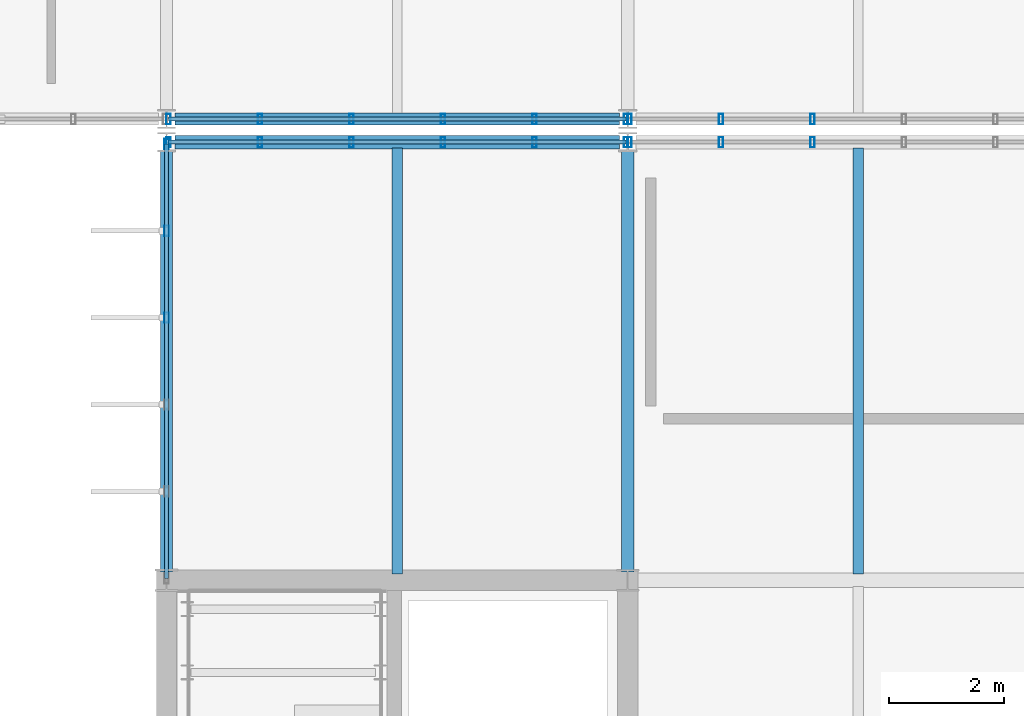
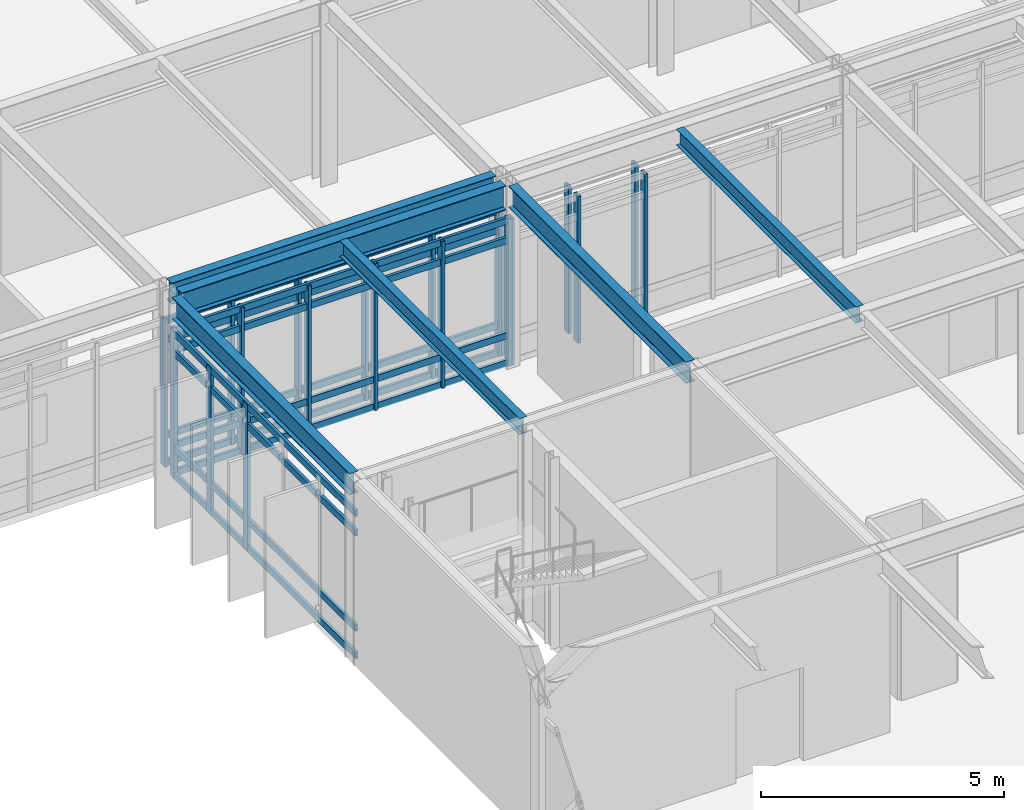
# One storey, part 47 of 104: 33 members, 6 beams, 5 elements without a shape of their own.
"""IFC4 building model written with IfcOpenShell, lengths in metres."""

from ifc_helpers import new_model, si_unit, direction, frame, origin, origin_2d, place, context, subcontext, project, spatial, hollow_rectangle, i_section, extrude, material, material_profile, profile_set, type_object, element, aggregate, save


model = new_model("IFC4")

# Units and contexts
model_context = context("Model", 3, precision=1e-05, world=origin(), true_north=direction((0.0, 1.0)))
body_context = subcontext(model_context, "Body", "Model", "MODEL_VIEW")
ifc_project = project(units=[si_unit("LENGTHUNIT", "METRE"), si_unit("AREAUNIT", "SQUARE_METRE"), si_unit("VOLUMEUNIT", "CUBIC_METRE"), si_unit("PLANEANGLEUNIT", "RADIAN"), si_unit("MASSUNIT", "GRAM", prefix="KILO")], contexts=[model_context])

# Site, building, storey
site_placement = place(None, origin())
site = spatial("IfcSite", under=ifc_project, at=site_placement, CompositionType="ELEMENT")
building_placement = place(site_placement, origin())
building = spatial("IfcBuilding", under=site, at=building_placement, Name="Zulena Civic Courthouse", CompositionType="ELEMENT")
storey_placement = place(building_placement, frame((0.0, 0.0, 10.800048828125)))
storey = spatial("IfcBuildingStorey", under=building, at=storey_placement, Name="L02", CompositionType="ELEMENT", Elevation=10.800048828125)

# Curtain wall, members
ifc_material_1 = material(Name="Double-silver low-E laminated solar-control glass", Category="glass")
curtain_wall_type_1 = type_object("IfcCurtainWallType", Name="CW_7540x3690", PredefinedType="USERDEFINED", material=ifc_material_1)
curtain_wall_1_placement = place(storey_placement, origin())
curtain_wall_1 = element("IfcCurtainWall", 1, at=curtain_wall_1_placement, inside=storey, type_object=curtain_wall_type_1, Name="cw:V4:L02:0:3", ObjectType="UNITISED CURTAIN WALL", PredefinedType="USERDEFINED")
ifc_material_2 = material(Name="Bronze anodised thermally broken aluminium AA6063-T6", Category="aluminium")
ifc_material_profile_1 = material_profile(ifc_material_2, hollow_rectangle(XDim=0.074951171875, YDim=0.179931640625, WallThickness=0.0048828125, at=origin_2d()), Name="CWM180X75X5")
ifc_profile_set_1 = profile_set([ifc_material_profile_1], Name="Bronze anodised thermally broken aluminium AA6063-T6")
member_type_1 = type_object("IfcMemberType", Name="CWMullion_180x75", PredefinedType="MULLION", material=ifc_profile_set_1)
member_1_placement = place(storey_placement, frame((68.0, 42.553955078125, 0.0), z_axis=(0.0, 0.0, 1.0), x_axis=(1.0, 0.0, 0.0)))
member_1 = element("IfcMember", 2, at=member_1_placement, type_object=member_type_1, Name="cw:V4:L02:0:3:mull:3", PredefinedType="MULLION", context=body_context, shape_type="SweptSolid", body=[
    extrude(hollow_rectangle(XDim=0.074951171875, YDim=0.179931640625, WallThickness=0.0048828125, at=origin_2d()), origin(), (0.0, 0.0, 1.0), 3.68994140625),
])
member_2_placement = place(storey_placement, frame((68.0, 44.06201171875, 0.0), z_axis=(0.0, 0.0, 1.0), x_axis=(1.0, 0.0, 0.0)))
member_2 = element("IfcMember", 3, at=member_2_placement, type_object=member_type_1, Name="cw:V4:L02:0:3:mull:4", PredefinedType="MULLION", context=body_context, shape_type="SweptSolid", body=[
    extrude(hollow_rectangle(XDim=0.074951171875, YDim=0.179931640625, WallThickness=0.0048828125, at=origin_2d()), origin(), (0.0, 0.0, 1.0), 3.68994140625),
])
member_3_placement = place(storey_placement, frame((68.0, 45.570068359375, 0.0), z_axis=(0.0, 0.0, 1.0), x_axis=(1.0, 0.0, 0.0)))
member_3 = element("IfcMember", 4, at=member_3_placement, type_object=member_type_1, Name="cw:V4:L02:0:3:mull:5", PredefinedType="MULLION", context=body_context, shape_type="SweptSolid", body=[
    extrude(hollow_rectangle(XDim=0.074951171875, YDim=0.179931640625, WallThickness=0.0048828125, at=origin_2d()), origin(), (0.0, 0.0, 1.0), 3.68994140625),
])

curtain_wall_type_2 = type_object("IfcCurtainWallType", Name="CW_7940x3690", PredefinedType="USERDEFINED", material=ifc_material_1)
curtain_wall_2_placement = place(storey_placement, origin())
curtain_wall_2 = element("IfcCurtainWall", 5, at=curtain_wall_2_placement, inside=storey, type_object=curtain_wall_type_2, Name="cw:V4:L02:1:0", ObjectType="UNITISED CURTAIN WALL", PredefinedType="USERDEFINED")
member_4_placement = place(storey_placement, frame((68.030029296875, 45.60009765625, 0.0), z_axis=(0.0, 0.0, 1.0), x_axis=(1.0, 0.0, 0.0)))
member_4 = element("IfcMember", 6, at=member_4_placement, type_object=member_type_1, Name="cw:V4:L02:1:0:mull:0", PredefinedType="MULLION", context=body_context, shape_type="SweptSolid", body=[
    extrude(hollow_rectangle(XDim=0.074951171875, YDim=0.179931640625, WallThickness=0.0048828125, at=origin_2d()), origin(), (0.0, 0.0, 1.0), 3.68994140625),
])
member_5_placement = place(storey_placement, frame((69.617919921875, 45.60009765625, 0.0), z_axis=(0.0, 0.0, 1.0), x_axis=(1.0, 0.0, 0.0)))
member_5 = element("IfcMember", 7, at=member_5_placement, type_object=member_type_1, Name="cw:V4:L02:1:0:mull:1", PredefinedType="MULLION", context=body_context, shape_type="SweptSolid", body=[
    extrude(hollow_rectangle(XDim=0.074951171875, YDim=0.179931640625, WallThickness=0.0048828125, at=origin_2d()), origin(), (0.0, 0.0, 1.0), 3.68994140625),
])
member_6_placement = place(storey_placement, frame((71.2060546875, 45.60009765625, 0.0), z_axis=(0.0, 0.0, 1.0), x_axis=(1.0, 0.0, 0.0)))
member_6 = element("IfcMember", 8, at=member_6_placement, type_object=member_type_1, Name="cw:V4:L02:1:0:mull:2", PredefinedType="MULLION", context=body_context, shape_type="SweptSolid", body=[
    extrude(hollow_rectangle(XDim=0.074951171875, YDim=0.179931640625, WallThickness=0.0048828125, at=origin_2d()), origin(), (0.0, 0.0, 1.0), 3.68994140625),
])
member_7_placement = place(storey_placement, frame((72.7939453125, 45.60009765625, 0.0), z_axis=(0.0, 0.0, 1.0), x_axis=(1.0, 0.0, 0.0)))
member_7 = element("IfcMember", 9, at=member_7_placement, type_object=member_type_1, Name="cw:V4:L02:1:0:mull:3", PredefinedType="MULLION", context=body_context, shape_type="SweptSolid", body=[
    extrude(hollow_rectangle(XDim=0.074951171875, YDim=0.179931640625, WallThickness=0.0048828125, at=origin_2d()), origin(), (0.0, 0.0, 1.0), 3.68994140625),
])
member_8_placement = place(storey_placement, frame((74.382080078125, 45.60009765625, 0.0), z_axis=(0.0, 0.0, 1.0), x_axis=(1.0, 0.0, 0.0)))
member_8 = element("IfcMember", 10, at=member_8_placement, type_object=member_type_1, Name="cw:V4:L02:1:0:mull:4", PredefinedType="MULLION", context=body_context, shape_type="SweptSolid", body=[
    extrude(hollow_rectangle(XDim=0.074951171875, YDim=0.179931640625, WallThickness=0.0048828125, at=origin_2d()), origin(), (0.0, 0.0, 1.0), 3.68994140625),
])
member_9_placement = place(storey_placement, frame((75.969970703125, 45.60009765625, 0.0), z_axis=(0.0, 0.0, 1.0), x_axis=(1.0, 0.0, 0.0)))
member_9 = element("IfcMember", 11, at=member_9_placement, type_object=member_type_1, Name="cw:V4:L02:1:0:mull:5", PredefinedType="MULLION", context=body_context, shape_type="SweptSolid", body=[
    extrude(hollow_rectangle(XDim=0.074951171875, YDim=0.179931640625, WallThickness=0.0048828125, at=origin_2d()), origin(), (0.0, 0.0, 1.0), 3.68994140625),
])

curtain_wall_3_placement = place(storey_placement, origin())
curtain_wall_3 = element("IfcCurtainWall", 12, at=curtain_wall_3_placement, inside=storey, type_object=curtain_wall_type_2, Name="cw:V4:L02:1:1", ObjectType="UNITISED CURTAIN WALL", PredefinedType="USERDEFINED")
member_10_placement = place(storey_placement, frame((76.030029296875, 45.60009765625, 0.0), z_axis=(0.0, 0.0, 1.0), x_axis=(1.0, 0.0, 0.0)))
member_10 = element("IfcMember", 13, at=member_10_placement, type_object=member_type_1, Name="cw:V4:L02:1:1:mull:0", PredefinedType="MULLION", context=body_context, shape_type="SweptSolid", body=[
    extrude(hollow_rectangle(XDim=0.074951171875, YDim=0.179931640625, WallThickness=0.0048828125, at=origin_2d()), origin(), (0.0, 0.0, 1.0), 3.68994140625),
])
member_11_placement = place(storey_placement, frame((77.617919921875, 45.60009765625, 0.0), z_axis=(0.0, 0.0, 1.0), x_axis=(1.0, 0.0, 0.0)))
member_11 = element("IfcMember", 14, at=member_11_placement, type_object=member_type_1, Name="cw:V4:L02:1:1:mull:1", PredefinedType="MULLION", context=body_context, shape_type="SweptSolid", body=[
    extrude(hollow_rectangle(XDim=0.074951171875, YDim=0.179931640625, WallThickness=0.0048828125, at=origin_2d()), origin(), (0.0, 0.0, 1.0), 3.68994140625),
])
member_12_placement = place(storey_placement, frame((79.2060546875, 45.60009765625, 0.0), z_axis=(0.0, 0.0, 1.0), x_axis=(1.0, 0.0, 0.0)))
member_12 = element("IfcMember", 15, at=member_12_placement, type_object=member_type_1, Name="cw:V4:L02:1:1:mull:2", PredefinedType="MULLION", context=body_context, shape_type="SweptSolid", body=[
    extrude(hollow_rectangle(XDim=0.074951171875, YDim=0.179931640625, WallThickness=0.0048828125, at=origin_2d()), origin(), (0.0, 0.0, 1.0), 3.68994140625),
])
aggregate(curtain_wall_3, [member_10, member_11, member_12])

curtain_wall_4_placement = place(storey_placement, origin())
curtain_wall_4 = element("IfcCurtainWall", 16, at=curtain_wall_4_placement, inside=storey, type_object=curtain_wall_type_2, Name="cw:V5:L02:5:3", ObjectType="UNITISED CURTAIN WALL", PredefinedType="USERDEFINED")
member_13_placement = place(storey_placement, frame((79.2060546875, 46.0, 0.0), z_axis=(0.0, 0.0, 1.0), x_axis=(1.0, 0.0, 0.0)))
member_13 = element("IfcMember", 17, at=member_13_placement, type_object=member_type_1, Name="cw:V5:L02:5:3:mull:3", PredefinedType="MULLION", context=body_context, shape_type="SweptSolid", body=[
    extrude(hollow_rectangle(XDim=0.074951171875, YDim=0.179931640625, WallThickness=0.0048828125, at=origin_2d()), origin(), (0.0, 0.0, 1.0), 3.68994140625),
])
member_14_placement = place(storey_placement, frame((77.617919921875, 46.0, 0.0), z_axis=(0.0, 0.0, 1.0), x_axis=(1.0, 0.0, 0.0)))
member_14 = element("IfcMember", 18, at=member_14_placement, type_object=member_type_1, Name="cw:V5:L02:5:3:mull:4", PredefinedType="MULLION", context=body_context, shape_type="SweptSolid", body=[
    extrude(hollow_rectangle(XDim=0.074951171875, YDim=0.179931640625, WallThickness=0.0048828125, at=origin_2d()), origin(), (0.0, 0.0, 1.0), 3.68994140625),
])
member_15_placement = place(storey_placement, frame((76.030029296875, 46.0, 0.0), z_axis=(0.0, 0.0, 1.0), x_axis=(1.0, 0.0, 0.0)))
member_15 = element("IfcMember", 19, at=member_15_placement, type_object=member_type_1, Name="cw:V5:L02:5:3:mull:5", PredefinedType="MULLION", context=body_context, shape_type="SweptSolid", body=[
    extrude(hollow_rectangle(XDim=0.074951171875, YDim=0.179931640625, WallThickness=0.0048828125, at=origin_2d()), origin(), (0.0, 0.0, 1.0), 3.68994140625),
])
aggregate(curtain_wall_4, [member_13, member_14, member_15])

curtain_wall_5_placement = place(storey_placement, origin())
curtain_wall_5 = element("IfcCurtainWall", 20, at=curtain_wall_5_placement, inside=storey, type_object=curtain_wall_type_2, Name="cw:V5:L02:5:4", ObjectType="UNITISED CURTAIN WALL", PredefinedType="USERDEFINED")
member_16_placement = place(storey_placement, frame((75.969970703125, 46.0, 0.0), z_axis=(0.0, 0.0, 1.0), x_axis=(1.0, 0.0, 0.0)))
member_16 = element("IfcMember", 21, at=member_16_placement, type_object=member_type_1, Name="cw:V5:L02:5:4:mull:0", PredefinedType="MULLION", context=body_context, shape_type="SweptSolid", body=[
    extrude(hollow_rectangle(XDim=0.074951171875, YDim=0.179931640625, WallThickness=0.0048828125, at=origin_2d()), origin(), (0.0, 0.0, 1.0), 3.68994140625),
])
member_17_placement = place(storey_placement, frame((74.382080078125, 46.0, 0.0), z_axis=(0.0, 0.0, 1.0), x_axis=(1.0, 0.0, 0.0)))
member_17 = element("IfcMember", 22, at=member_17_placement, type_object=member_type_1, Name="cw:V5:L02:5:4:mull:1", PredefinedType="MULLION", context=body_context, shape_type="SweptSolid", body=[
    extrude(hollow_rectangle(XDim=0.074951171875, YDim=0.179931640625, WallThickness=0.0048828125, at=origin_2d()), origin(), (0.0, 0.0, 1.0), 3.68994140625),
])
member_18_placement = place(storey_placement, frame((72.7939453125, 46.0, 0.0), z_axis=(0.0, 0.0, 1.0), x_axis=(1.0, 0.0, 0.0)))
member_18 = element("IfcMember", 23, at=member_18_placement, type_object=member_type_1, Name="cw:V5:L02:5:4:mull:2", PredefinedType="MULLION", context=body_context, shape_type="SweptSolid", body=[
    extrude(hollow_rectangle(XDim=0.074951171875, YDim=0.179931640625, WallThickness=0.0048828125, at=origin_2d()), origin(), (0.0, 0.0, 1.0), 3.68994140625),
])
member_19_placement = place(storey_placement, frame((71.2060546875, 46.0, 0.0), z_axis=(0.0, 0.0, 1.0), x_axis=(1.0, 0.0, 0.0)))
member_19 = element("IfcMember", 24, at=member_19_placement, type_object=member_type_1, Name="cw:V5:L02:5:4:mull:3", PredefinedType="MULLION", context=body_context, shape_type="SweptSolid", body=[
    extrude(hollow_rectangle(XDim=0.074951171875, YDim=0.179931640625, WallThickness=0.0048828125, at=origin_2d()), origin(), (0.0, 0.0, 1.0), 3.68994140625),
])
member_20_placement = place(storey_placement, frame((69.617919921875, 46.0, 0.0), z_axis=(0.0, 0.0, 1.0), x_axis=(1.0, 0.0, 0.0)))
member_20 = element("IfcMember", 25, at=member_20_placement, type_object=member_type_1, Name="cw:V5:L02:5:4:mull:4", PredefinedType="MULLION", context=body_context, shape_type="SweptSolid", body=[
    extrude(hollow_rectangle(XDim=0.074951171875, YDim=0.179931640625, WallThickness=0.0048828125, at=origin_2d()), origin(), (0.0, 0.0, 1.0), 3.68994140625),
])
member_21_placement = place(storey_placement, frame((68.030029296875, 46.0, 0.0), z_axis=(0.0, 0.0, 1.0), x_axis=(1.0, 0.0, 0.0)))
member_21 = element("IfcMember", 26, at=member_21_placement, type_object=member_type_1, Name="cw:V5:L02:5:4:mull:5", PredefinedType="MULLION", context=body_context, shape_type="SweptSolid", body=[
    extrude(hollow_rectangle(XDim=0.074951171875, YDim=0.179931640625, WallThickness=0.0048828125, at=origin_2d()), origin(), (0.0, 0.0, 1.0), 3.68994140625),
])

# Member
ifc_material_profile_2 = material_profile(ifc_material_2, hollow_rectangle(XDim=0.070068359375, YDim=0.1650390625, WallThickness=0.00390625, at=origin_2d()), Name="CWT165X70X4")
ifc_profile_set_2 = profile_set([ifc_material_profile_2], Name="Bronze anodised thermally broken aluminium AA6063-T6")
member_type_2 = type_object("IfcMemberType", Name="CWTransom_165x70", PredefinedType="USERDEFINED", material=ifc_profile_set_2)
member_22_placement = place(storey_placement, frame((68.0, 38.030029296875, 0.06005859375), z_axis=(0.0, 1.0, 0.0), x_axis=(-1.0, 0.0, 0.0)))
member_22 = element("IfcMember", 27, at=member_22_placement, type_object=member_type_2, Name="cw:V4:L02:0:3:tran:0", ObjectType="TRANSOM", PredefinedType="USERDEFINED", context=body_context, shape_type="SweptSolid", body=[
    extrude(hollow_rectangle(XDim=0.070068359375, YDim=0.1650390625, WallThickness=0.00390625, at=origin_2d()), origin(), (0.0, 0.0, 1.0), 7.5400390625),
])

member_23_placement = place(storey_placement, frame((68.0, 38.030029296875, 0.75), z_axis=(0.0, 1.0, 0.0), x_axis=(-1.0, 0.0, 0.0)))
member_23 = element("IfcMember", 28, at=member_23_placement, type_object=member_type_2, Name="cw:V4:L02:0:3:tran:1", ObjectType="TRANSOM", PredefinedType="USERDEFINED", context=body_context, shape_type="SweptSolid", body=[
    extrude(hollow_rectangle(XDim=0.070068359375, YDim=0.1650390625, WallThickness=0.00390625, at=origin_2d()), origin(), (0.0, 0.0, 1.0), 7.5400390625),
])

member_24_placement = place(storey_placement, frame((68.0, 38.030029296875, 3.139892578125), z_axis=(0.0, 1.0, 0.0), x_axis=(-1.0, 0.0, 0.0)))
member_24 = element("IfcMember", 29, at=member_24_placement, type_object=member_type_2, Name="cw:V4:L02:0:3:tran:2", ObjectType="TRANSOM", PredefinedType="USERDEFINED", context=body_context, shape_type="SweptSolid", body=[
    extrude(hollow_rectangle(XDim=0.070068359375, YDim=0.1650390625, WallThickness=0.00390625, at=origin_2d()), origin(), (0.0, 0.0, 1.0), 7.5400390625),
])

member_25_placement = place(storey_placement, frame((68.0, 38.030029296875, 3.6298828125), z_axis=(0.0, 1.0, 0.0), x_axis=(-1.0, 0.0, 0.0)))
member_25 = element("IfcMember", 30, at=member_25_placement, type_object=member_type_2, Name="cw:V4:L02:0:3:tran:3", ObjectType="TRANSOM", PredefinedType="USERDEFINED", context=body_context, shape_type="SweptSolid", body=[
    extrude(hollow_rectangle(XDim=0.070068359375, YDim=0.1650390625, WallThickness=0.00390625, at=origin_2d()), origin(), (0.0, 0.0, 1.0), 7.5400390625),
])

aggregate(curtain_wall_1, [member_1, member_2, member_3, member_22, member_23, member_24, member_25])

member_26_placement = place(storey_placement, frame((68.030029296875, 45.60009765625, 0.06005859375), z_axis=(1.0, 0.0, 0.0), x_axis=(0.0, 1.0, 0.0)))
member_26 = element("IfcMember", 31, at=member_26_placement, type_object=member_type_2, Name="cw:V4:L02:1:0:tran:0", ObjectType="TRANSOM", PredefinedType="USERDEFINED", context=body_context, shape_type="SweptSolid", body=[
    extrude(hollow_rectangle(XDim=0.070068359375, YDim=0.1650390625, WallThickness=0.00390625, at=origin_2d()), origin(), (0.0, 0.0, 1.0), 7.93994140625),
])

member_27_placement = place(storey_placement, frame((68.030029296875, 45.60009765625, 0.75), z_axis=(1.0, 0.0, 0.0), x_axis=(0.0, 1.0, 0.0)))
member_27 = element("IfcMember", 32, at=member_27_placement, type_object=member_type_2, Name="cw:V4:L02:1:0:tran:1", ObjectType="TRANSOM", PredefinedType="USERDEFINED", context=body_context, shape_type="SweptSolid", body=[
    extrude(hollow_rectangle(XDim=0.070068359375, YDim=0.1650390625, WallThickness=0.00390625, at=origin_2d()), origin(), (0.0, 0.0, 1.0), 7.93994140625),
])

member_28_placement = place(storey_placement, frame((68.030029296875, 45.60009765625, 3.139892578125), z_axis=(1.0, 0.0, 0.0), x_axis=(0.0, 1.0, 0.0)))
member_28 = element("IfcMember", 33, at=member_28_placement, type_object=member_type_2, Name="cw:V4:L02:1:0:tran:2", ObjectType="TRANSOM", PredefinedType="USERDEFINED", context=body_context, shape_type="SweptSolid", body=[
    extrude(hollow_rectangle(XDim=0.070068359375, YDim=0.1650390625, WallThickness=0.00390625, at=origin_2d()), origin(), (0.0, 0.0, 1.0), 7.93994140625),
])

member_29_placement = place(storey_placement, frame((68.030029296875, 45.60009765625, 3.6298828125), z_axis=(1.0, 0.0, 0.0), x_axis=(0.0, 1.0, 0.0)))
member_29 = element("IfcMember", 34, at=member_29_placement, type_object=member_type_2, Name="cw:V4:L02:1:0:tran:3", ObjectType="TRANSOM", PredefinedType="USERDEFINED", context=body_context, shape_type="SweptSolid", body=[
    extrude(hollow_rectangle(XDim=0.070068359375, YDim=0.1650390625, WallThickness=0.00390625, at=origin_2d()), origin(), (0.0, 0.0, 1.0), 7.93994140625),
])

aggregate(curtain_wall_2, [member_4, member_5, member_6, member_7, member_8, member_9, member_26, member_27, member_28, member_29])

member_30_placement = place(storey_placement, frame((75.969970703125, 46.0, 0.06005859375), z_axis=(-1.0, 0.0, 0.0), x_axis=(0.0, -1.0, 0.0)))
member_30 = element("IfcMember", 35, at=member_30_placement, type_object=member_type_2, Name="cw:V5:L02:5:4:tran:0", ObjectType="TRANSOM", PredefinedType="USERDEFINED", context=body_context, shape_type="SweptSolid", body=[
    extrude(hollow_rectangle(XDim=0.070068359375, YDim=0.1650390625, WallThickness=0.00390625, at=origin_2d()), origin(), (0.0, 0.0, 1.0), 7.93994140625),
])

member_31_placement = place(storey_placement, frame((75.969970703125, 46.0, 0.75), z_axis=(-1.0, 0.0, 0.0), x_axis=(0.0, -1.0, 0.0)))
member_31 = element("IfcMember", 36, at=member_31_placement, type_object=member_type_2, Name="cw:V5:L02:5:4:tran:1", ObjectType="TRANSOM", PredefinedType="USERDEFINED", context=body_context, shape_type="SweptSolid", body=[
    extrude(hollow_rectangle(XDim=0.070068359375, YDim=0.1650390625, WallThickness=0.00390625, at=origin_2d()), origin(), (0.0, 0.0, 1.0), 7.93994140625),
])

member_32_placement = place(storey_placement, frame((75.969970703125, 46.0, 3.139892578125), z_axis=(-1.0, 0.0, 0.0), x_axis=(0.0, -1.0, 0.0)))
member_32 = element("IfcMember", 37, at=member_32_placement, type_object=member_type_2, Name="cw:V5:L02:5:4:tran:2", ObjectType="TRANSOM", PredefinedType="USERDEFINED", context=body_context, shape_type="SweptSolid", body=[
    extrude(hollow_rectangle(XDim=0.070068359375, YDim=0.1650390625, WallThickness=0.00390625, at=origin_2d()), origin(), (0.0, 0.0, 1.0), 7.93994140625),
])

member_33_placement = place(storey_placement, frame((75.969970703125, 46.0, 3.6298828125), z_axis=(-1.0, 0.0, 0.0), x_axis=(0.0, -1.0, 0.0)))
member_33 = element("IfcMember", 38, at=member_33_placement, type_object=member_type_2, Name="cw:V5:L02:5:4:tran:3", ObjectType="TRANSOM", PredefinedType="USERDEFINED", context=body_context, shape_type="SweptSolid", body=[
    extrude(hollow_rectangle(XDim=0.070068359375, YDim=0.1650390625, WallThickness=0.00390625, at=origin_2d()), origin(), (0.0, 0.0, 1.0), 7.93994140625),
])

aggregate(curtain_wall_5, [member_16, member_17, member_18, member_19, member_20, member_21, member_30, member_31, member_32, member_33])

# Beams
ifc_material_3 = material(Name="Steel ASTM A992 Grade 50", Category="steel")
ifc_material_profile_3 = material_profile(ifc_material_3, i_section(OverallWidth=0.177978515625, OverallDepth=0.406005859375, WebThickness=0.0078125, FlangeThickness=0.0126953125, FilletRadius=0.01025390625, at=origin_2d()), Name="W16X40")
ifc_profile_set_3 = profile_set([ifc_material_profile_3], Name="Steel ASTM A992 Grade 50")
beam_type_1 = type_object("IfcBeamType", Name="Joist_W16X40", PredefinedType="JOIST", material=ifc_profile_set_3)
for number, where, z_axis, x_axis, name in (
    (39, (72.0, 38.10498046875, 4.386962890625), (0.0, 1.0, 0.0), (-1.0, 0.0, 0.0), "joist:V4:L02:72.00:38.0_45.6"),
    (40, (80.0, 38.10498046875, 4.386962890625), (0.0, 1.0, 0.0), (-1.0, 0.0, 0.0), "joist:V4:L02:80.00:38.0_45.6"),
):
    element("IfcBeam", number, at=place(storey_placement, frame(where, z_axis=z_axis, x_axis=x_axis)), inside=storey, type_object=beam_type_1, Name=name, PredefinedType="JOIST", context=body_context, shape_type="SweptSolid", body=[
        extrude(i_section(OverallWidth=0.177978515625, OverallDepth=0.406005859375, WebThickness=0.0078125, FlangeThickness=0.0126953125, FilletRadius=0.01025390625, at=origin_2d()), origin(), (0.0, 0.0, 1.0), 7.39013671875),
    ])
ifc_material_profile_4 = material_profile(ifc_material_3, i_section(OverallWidth=0.2099609375, OverallDepth=0.537109375, WebThickness=0.010986328125, FlangeThickness=0.017333984375, FilletRadius=0.0126953125, at=origin_2d()), Name="W21X68")
ifc_profile_set_4 = profile_set([ifc_material_profile_4], Name="Steel ASTM A992 Grade 50")
beam_type_2 = type_object("IfcBeamType", Name="Spandrel_W21X68", PredefinedType="SPANDREL", material=ifc_profile_set_4)
for number, where, z_axis, x_axis, name in (
    (41, (68.0, 38.14501953125, 4.321533203125), (0.0, 1.0, 0.0), (-1.0, 0.0, 0.0), "beam:Y:V4:L02:68.0:38.0_45.6"),
    (42, (76.0, 38.14501953125, 4.321533203125), (0.0, 1.0, 0.0), (-1.0, 0.0, 0.0), "beam:Y:V4:L02:76.0:38.0_45.6"),
):
    element("IfcBeam", number, at=place(storey_placement, frame(where, z_axis=z_axis, x_axis=x_axis)), inside=storey, type_object=beam_type_2, Name=name, PredefinedType="SPANDREL", context=body_context, shape_type="SweptSolid", body=[
        extrude(i_section(OverallWidth=0.2099609375, OverallDepth=0.537109375, WebThickness=0.010986328125, FlangeThickness=0.017333984375, FilletRadius=0.0126953125, at=origin_2d()), origin(), (0.0, 0.0, 1.0), 7.31005859375),
    ])
beam_1_placement = place(storey_placement, frame((68.14501953125, 46.0, 4.321533203125), z_axis=(1.0, 0.0, 0.0), x_axis=(0.0, 1.0, 0.0)))
element("IfcBeam", 43, at=beam_1_placement, inside=storey, type_object=beam_type_2, Name="beam:X:V5:L02:46.0:68.0_76.0", PredefinedType="SPANDREL", context=body_context, shape_type="SweptSolid", body=[
    extrude(i_section(OverallWidth=0.2099609375, OverallDepth=0.537109375, WebThickness=0.010986328125, FlangeThickness=0.017333984375, FilletRadius=0.0126953125, at=origin_2d()), origin(), (0.0, 0.0, 1.0), 7.7099609375),
])
ifc_material_profile_5 = material_profile(ifc_material_3, i_section(OverallWidth=0.22998046875, OverallDepth=0.616943359375, WebThickness=0.01318359375, FlangeThickness=0.022216796875, FilletRadius=0.0126953125, at=origin_2d()), Name="W24X94")
ifc_profile_set_5 = profile_set([ifc_material_profile_5], Name="Steel ASTM A992 Grade 50")
beam_type_3 = type_object("IfcBeamType", Name="Spandrel_W24X94", PredefinedType="SPANDREL", material=ifc_profile_set_5)
beam_2_placement = place(storey_placement, frame((68.14501953125, 45.60009765625, 4.281494140625), z_axis=(1.0, 0.0, 0.0), x_axis=(0.0, 1.0, 0.0)))
element("IfcBeam", 44, at=beam_2_placement, inside=storey, type_object=beam_type_3, Name="beam:X:V4:L02:45.6:68.0_76.0", PredefinedType="SPANDREL", context=body_context, shape_type="SweptSolid", body=[
    extrude(i_section(OverallWidth=0.22998046875, OverallDepth=0.616943359375, WebThickness=0.01318359375, FlangeThickness=0.022216796875, FilletRadius=0.0126953125, at=origin_2d()), origin(), (0.0, 0.0, 1.0), 7.7099609375),
])

save(model, "model.ifc")
